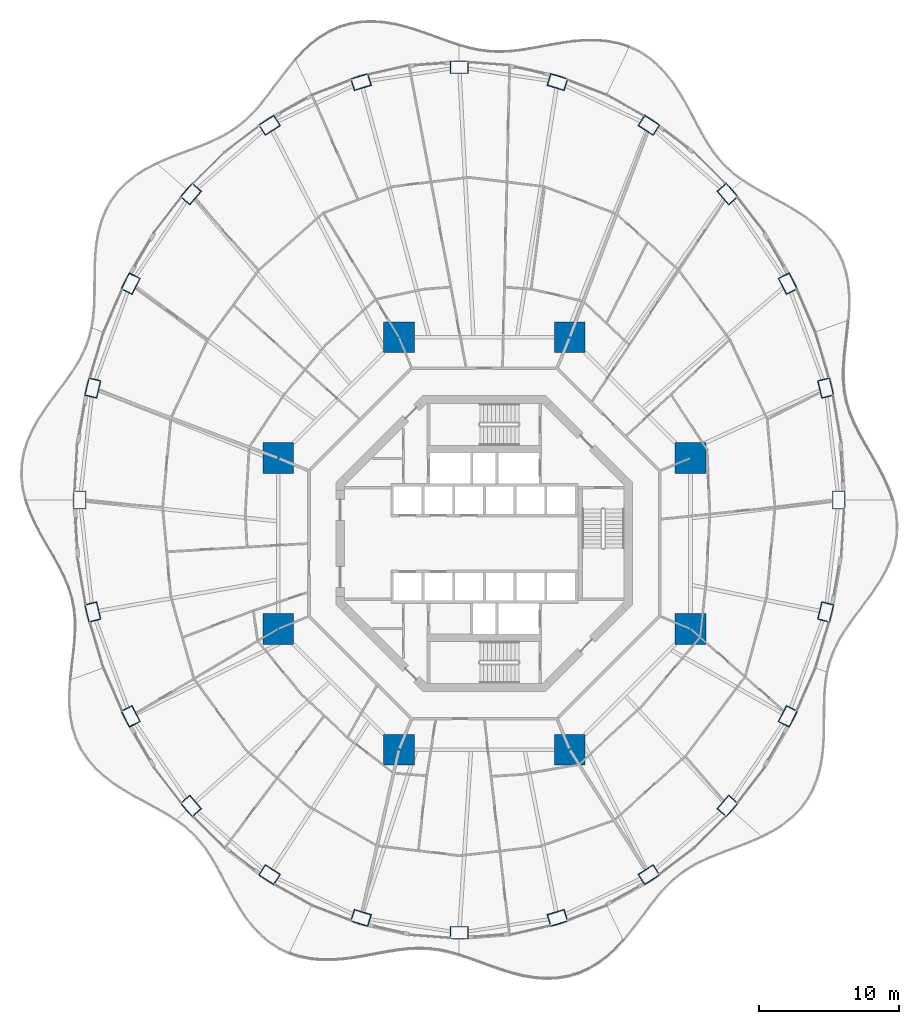
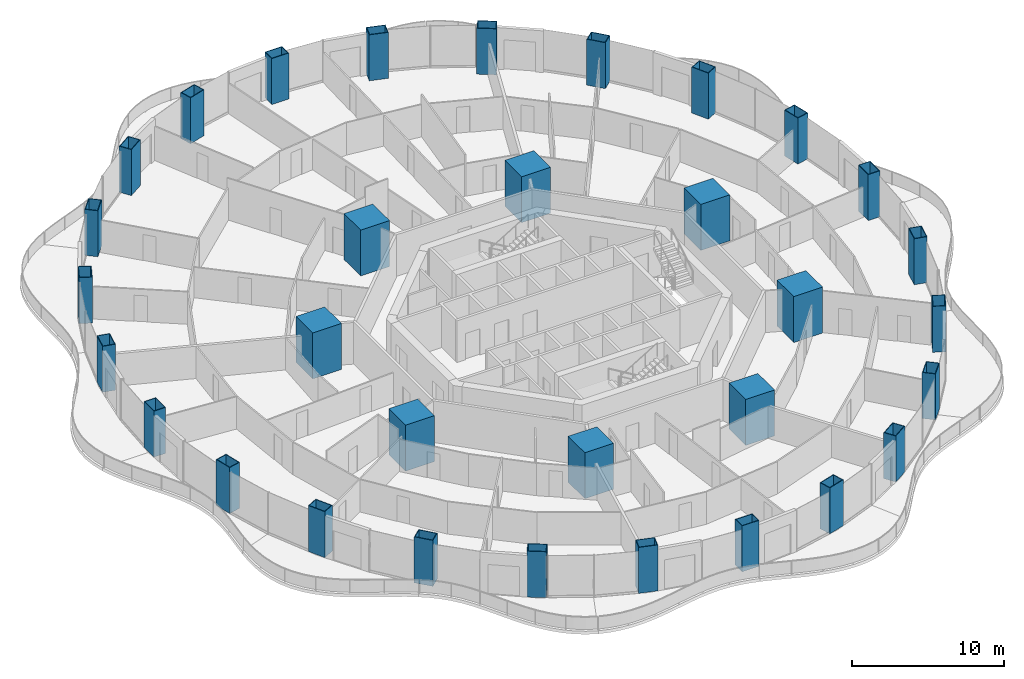
# One storey, part 1 of 23: 32 columns.
"""IFC4 building model written with IfcOpenShell, lengths in metres."""

import ifcopenshell
import ifcopenshell.guid

model = None  # the IFC model being written
_history = None  # IfcOwnerHistory: only IFC2X3 demands one
_inside = {}  # id of a spatial element -> (the spatial element, [elements in it])
_under = {}  # id of a project, library or spatial element -> (it, [spatial elements below it])
_declared = {}  # id of a project -> (the project, [libraries it declares])
_typed = {}  # id of a type object -> (the type object, [elements of that type])
_made_of = {}  # id of a material, layer set ... -> (it, [elements and type objects made of it])


def new_model(schema):
    """Start an empty IFC model of exactly this schema.

    Asked for "IFC4X3", IfcOpenShell would pick the latest addendum, in which some entities
    have other attributes; the version numbers below select the first issue.
    IFC2X3 requires an IfcOwnerHistory on every rooted entity: one is made here for all.
    """
    global model, _history
    if schema == "IFC4X3":
        model = ifcopenshell.file(schema_version=(4, 3, 0, 0))
    else:
        model = ifcopenshell.file(schema=schema)
    _inside.clear()
    _under.clear()
    _declared.clear()
    _typed.clear()
    _made_of.clear()
    _history = None
    if model.schema == "IFC2X3":
        org = make("IfcOrganization", Name="unknown")
        user = make(
            "IfcPersonAndOrganization",
            ThePerson=make("IfcPerson", FamilyName="unknown"),
            TheOrganization=org,
        )
        app = make(
            "IfcApplication",
            ApplicationDeveloper=org,
            Version="unknown",
            ApplicationFullName="unknown",
            ApplicationIdentifier="unknown",
        )
        _history = make(
            "IfcOwnerHistory",
            OwningUser=user,
            OwningApplication=app,
            ChangeAction="ADDED",
            CreationDate=0,
        )
    return model


def make(cls, **values):
    """One entity of the class cls with the attributes given. An attribute that is None is left unset."""
    return model.create_entity(
        cls, **{name: value for name, value in values.items() if value is not None}
    )


def rooted(cls, **values):
    """An entity with a GlobalId (a new one), such as an element, a storey or a relation."""
    return make(cls, GlobalId=ifcopenshell.guid.new(), OwnerHistory=_history, **values)


def si_unit(unit_type, name, prefix=None):
    """IfcSIUnit, for example si_unit("LENGTHUNIT", "METRE", prefix="MILLI")."""
    return make("IfcSIUnit", UnitType=unit_type, Prefix=prefix, Name=name)


def assignment(units):
    """IfcUnitAssignment: the units of a project."""
    return None if units is None else make("IfcUnitAssignment", Units=units)


def point(xyz):
    """IfcCartesianPoint."""
    return None if xyz is None else make("IfcCartesianPoint", Coordinates=xyz)


def direction(xyz):
    """IfcDirection."""
    return None if xyz is None else make("IfcDirection", DirectionRatios=xyz)


def frame(location, z_axis=None, x_axis=None):
    """IfcAxis2Placement3D, a coordinate frame: its origin and axes. An axis left out is left unset."""
    return make(
        "IfcAxis2Placement3D",
        Location=point(location),
        Axis=direction(z_axis),
        RefDirection=direction(x_axis),
    )


def frame_2d(location, x_axis=None):
    """IfcAxis2Placement2D, a coordinate frame in the plane: its origin and x axis."""
    return make(
        "IfcAxis2Placement2D", Location=point(location), RefDirection=direction(x_axis)
    )


def origin():
    """The frame at (0, 0, 0) with its axes left unset."""
    return frame((0.0, 0.0, 0.0))


def origin_2d():
    """The frame at (0, 0) in the plane with its x axis left unset."""
    return frame_2d((0.0, 0.0))


def place(relative_to, where):
    """IfcLocalPlacement: puts the frame where relative to a parent placement (None: the world)."""
    return make(
        "IfcLocalPlacement", PlacementRelTo=relative_to, RelativePlacement=where
    )


def context(
    kind, dimensions, precision=None, world=None, true_north=None, identifier=None
):
    """IfcGeometricRepresentationContext, for example the 3D "Model" context."""
    return make(
        "IfcGeometricRepresentationContext",
        ContextIdentifier=identifier,
        ContextType=kind,
        CoordinateSpaceDimension=dimensions,
        Precision=precision,
        WorldCoordinateSystem=world,
        TrueNorth=true_north,
    )


def subcontext(parent, identifier, kind, view, scale=None):
    """IfcGeometricRepresentationSubContext, for example "Body" below "Model"."""
    return make(
        "IfcGeometricRepresentationSubContext",
        ContextIdentifier=identifier,
        ContextType=kind,
        ParentContext=parent,
        TargetScale=scale,
        TargetView=view,
    )


def project(units=None, contexts=None):
    """IfcProject with its units and contexts."""
    return rooted(
        "IfcProject",
        Name="project",
        RepresentationContexts=contexts,
        UnitsInContext=assignment(units),
    )


def spatial(cls, under=None, at=None, **own):
    """A site, building, storey or space (cls), placed at a placement, below another one or the project."""
    s = rooted(cls, ObjectPlacement=at, **own)
    if under is not None:
        _under.setdefault(under.id(), (under, []))[1].append(s)
    return s


def profile(cls, at=None, kind="AREA", **sizes):
    """A parametric profile (cls). Its sizes go by their IFC names, for example OverallWidth=200.0."""
    return make(cls, ProfileType=kind, Position=at, **sizes)


def rectangle(**sizes):
    """IfcRectangleProfileDef."""
    return profile("IfcRectangleProfileDef", **sizes)


def hollow_rectangle(**sizes):
    """IfcRectangleHollowProfileDef."""
    return profile("IfcRectangleHollowProfileDef", **sizes)


def extrude(swept, where, along, depth):
    """IfcExtrudedAreaSolid: the profile swept, set in the frame where, extruded along a direction by depth."""
    return make(
        "IfcExtrudedAreaSolid",
        SweptArea=swept,
        Position=where,
        ExtrudedDirection=direction(along),
        Depth=depth,
    )


def shape(context_of_items, identifier, shape_type, items):
    """IfcShapeRepresentation: the items that make up one representation, for example the "Body"."""
    return make(
        "IfcShapeRepresentation",
        ContextOfItems=context_of_items,
        RepresentationIdentifier=identifier,
        RepresentationType=shape_type,
        Items=items,
    )


def material(Name=None, Category=None):
    """IfcMaterial."""
    return make("IfcMaterial", Name=Name, Category=Category)


def material_profile(
    of_material, cross_section, Name=None, Category=None, Priority=None
):
    """IfcMaterialProfile: a cross section and its material."""
    return make(
        "IfcMaterialProfile",
        Name=Name,
        Material=of_material,
        Profile=cross_section,
        Priority=Priority,
        Category=Category,
    )


def profile_set(profiles, Name=None, composite=None):
    """IfcMaterialProfileSet."""
    return make(
        "IfcMaterialProfileSet",
        Name=Name,
        MaterialProfiles=profiles,
        CompositeProfile=composite,
    )


def made_of(thing, what):
    """Note that an element or type object is made of a material, layer set ...; save() writes the relation."""
    if what is not None:
        _made_of.setdefault(what.id(), (what, []))[1].append(thing)
    return thing


def type_object(cls, material=None, **own):
    """A type object (cls), such as IfcWallType, which elements share."""
    return made_of(rooted(cls, **own), material)


def element(
    cls,
    number,
    at=None,
    inside=None,
    cuts=None,
    type_object=None,
    material=None,
    context=None,
    identifier="Body",
    shape_type=None,
    held_by="IfcProductDefinitionShape",
    body=None,
    shapes=None,
    **own,
):
    """One element of the class cls, such as IfcWall. Its Tag is "e" and its number.

    at: its placement. inside: the storey or other place that contains it. cuts: it is an
    opening in that element (IfcRelVoidsElement). A single representation is given by context,
    identifier, shape_type and body (its items); several are given by shapes. held_by: the class
    of the entity that holds the representations. save() writes the other relations.
    """
    e = rooted(cls, Tag="e%d" % number, ObjectPlacement=at, **own)
    if body is not None:
        shapes = [shape(context, identifier, shape_type, body)]
    if shapes is not None:
        e.Representation = make(held_by, Representations=shapes)
    if inside is not None:
        _inside.setdefault(inside.id(), (inside, []))[1].append(e)
    if cuts is not None:
        rooted(
            "IfcRelVoidsElement", RelatingBuildingElement=cuts, RelatedOpeningElement=e
        )
    if type_object is not None:
        _typed.setdefault(type_object.id(), (type_object, []))[1].append(e)
    return made_of(e, material)


def aggregate(whole, parts):
    """IfcRelAggregates: a whole, such as a stair, and the parts it consists of."""
    return rooted("IfcRelAggregates", RelatingObject=whole, RelatedObjects=parts)


def save(model, path):
    """Write the relations noted so far, then the file.

    IfcRelAggregates (storeys below a building ...), IfcRelContainedInSpatialStructure (elements
    in a storey), IfcRelDefinesByType, IfcRelAssociatesMaterial and IfcRelDeclares: one each for
    every whole, place, type object, material and project.
    """
    for whole, parts in _under.values():
        aggregate(whole, parts)
    for where, things in _inside.values():
        rooted(
            "IfcRelContainedInSpatialStructure",
            RelatedElements=things,
            RelatingStructure=where,
        )
    for kind, things in _typed.values():
        rooted("IfcRelDefinesByType", RelatedObjects=things, RelatingType=kind)
    for what, things in _made_of.values():
        rooted("IfcRelAssociatesMaterial", RelatedObjects=things, RelatingMaterial=what)
    for by, libraries in _declared.values():
        rooted("IfcRelDeclares", RelatingContext=by, RelatedDefinitions=libraries)
    model.write(path)


model = new_model("IFC4")

# Units and contexts
model_context = context("Model", 3, precision=1e-05, world=origin(), true_north=direction((0.0, 1.0)))
body_context = subcontext(model_context, "Body", "Model", "MODEL_VIEW")
ifc_project = project(units=[si_unit("LENGTHUNIT", "METRE"), si_unit("AREAUNIT", "SQUARE_METRE"), si_unit("VOLUMEUNIT", "CUBIC_METRE"), si_unit("PLANEANGLEUNIT", "RADIAN"), si_unit("MASSUNIT", "GRAM", prefix="KILO")], contexts=[model_context])

# Site, building, storey
site_placement = place(None, origin())
site = spatial("IfcSite", under=ifc_project, at=site_placement, CompositionType="ELEMENT")
building_placement = place(site_placement, origin())
building = spatial("IfcBuilding", under=site, at=building_placement, Name="Nagisa Residences", CompositionType="ELEMENT")
storey_placement = place(building_placement, frame((0.0, 0.0, 110.300048828125)))
storey = spatial("IfcBuildingStorey", under=building, at=storey_placement, Name="L27", CompositionType="ELEMENT", Elevation=110.300048828125)

# Columns
ifc_material_1 = material(Name="Concrete C80", Category="concrete")
ifc_material_profile_1 = material_profile(ifc_material_1, rectangle(XDim=2.199951171875, YDim=2.199951171875, at=origin_2d()), Name="C80 2200x2200")
ifc_profile_set_1 = profile_set([ifc_material_profile_1], Name="Concrete C80")
column_type_1 = type_object("IfcColumnType", Name="Inner megacolumn C80 2200x2200", PredefinedType="COLUMN", material=ifc_profile_set_1)
for number, where, z_axis, x_axis, name in (
    (1, (14.781982421875, 6.123046875, 0.0), (0.0, 0.0, 1.0), (1.0, 0.0, 0.0), "col:L27:i1"),
    (2, (6.123046875, 14.781982421875, 0.0), (0.0, 0.0, 1.0), (1.0, 0.0, 0.0), "col:L27:i2"),
    (3, (-6.123046875, 14.781982421875, 0.0), (0.0, 0.0, 1.0), (1.0, 0.0, 0.0), "col:L27:i3"),
    (4, (-14.781982421875, 6.123046875, 0.0), (0.0, 0.0, 1.0), (1.0, 0.0, 0.0), "col:L27:i4"),
    (5, (-14.781982421875, -6.123046875, 0.0), (0.0, 0.0, 1.0), (1.0, 0.0, 0.0), "col:L27:i5"),
    (6, (-6.123046875, -14.781982421875, 0.0), (0.0, 0.0, 1.0), (1.0, 0.0, 0.0), "col:L27:i6"),
    (7, (6.123046875, -14.781982421875, 0.0), (0.0, 0.0, 1.0), (1.0, 0.0, 0.0), "col:L27:i7"),
    (8, (14.781982421875, -6.123046875, 0.0), (0.0, 0.0, 1.0), (1.0, 0.0, 0.0), "col:L27:i8"),
):
    element("IfcColumn", number, at=place(storey_placement, frame(where, z_axis=z_axis, x_axis=x_axis)), inside=storey, type_object=column_type_1, Name=name, PredefinedType="COLUMN", context=body_context, shape_type="SweptSolid", body=[
        extrude(rectangle(XDim=2.199951171875, YDim=2.199951171875, at=origin_2d()), origin(), (0.0, 0.0, 1.0), 3.699951171875),
    ])
ifc_material_2 = material(Name="Steel ASTM A572 Gr 50", Category="steel")
ifc_material_profile_2 = material_profile(ifc_material_2, hollow_rectangle(XDim=1.300048828125, YDim=0.89990234375, WallThickness=0.044921875, at=origin_2d()), Name="BX 1300x900x45")
ifc_profile_set_2 = profile_set([ifc_material_profile_2], Name="Steel ASTM A572 Gr 50")
column_type_2 = type_object("IfcColumnType", Name="Perimeter column BX 1300x900x45", PredefinedType="COLUMN", material=ifc_profile_set_2)
for number, where, z_axis, x_axis, name in (
    (9, (25.39501953125, 3.11767578125, 0.0), (0.0, 0.0, 1.0), (0.0, 1.0, 0.0), "col:L27:p00"),
    (10, (24.46826171875, 11.14501953125, 0.0), (0.0, 0.0, 1.0), (-0.229202013103, 0.973378876486, 0.0), "col:L27:p01"),
    (11, (21.75146484375, 18.625244140625, 0.0), (0.0, 0.0, 1.0), (-0.452462697578, 0.891783329795, 0.0), "col:L27:p02"),
    (12, (17.4296875, 25.048583984375, 0.0), (0.0, 0.0, 1.0), (-0.660114607735, 0.751164898445, 0.0), "col:L27:p03"),
    (13, (11.797607421875, 29.9775390625, 0.0), (0.0, 0.0, 1.0), (-0.835766105673, 0.54908561865, 0.0), "col:L27:p04"),
    (14, (5.238525390625, 33.075927734375, 0.0), (0.0, 0.0, 1.0), (-0.956524583408, 0.291651712384, 0.0), "col:L27:p05"),
    (15, (-1.800048828125, 34.1328125, 0.0), (0.0, 0.0, 1.0), (-1.0, 0.0, 0.0), "col:L27:p06"),
    (16, (-8.838623046875, 33.075927734375, 0.0), (0.0, 0.0, 1.0), (-0.956524583408, -0.291651712384, 0.0), "col:L27:p07"),
    (17, (-15.3974609375, 29.9775390625, 0.0), (0.0, 0.0, 1.0), (-0.835766105673, -0.54908561865, 0.0), "col:L27:p08"),
    (18, (-21.02978515625, 25.048583984375, 0.0), (0.0, 0.0, 1.0), (-0.660114607735, -0.751164898445, 0.0), "col:L27:p09"),
    (19, (-25.3515625, 18.625244140625, 0.0), (0.0, 0.0, 1.0), (-0.452462697578, -0.891783329795, 0.0), "col:L27:p10"),
    (20, (-28.068359375, 11.14501953125, 0.0), (0.0, 0.0, 1.0), (-0.229202013103, -0.973378876486, 0.0), "col:L27:p11"),
    (21, (-28.9951171875, 3.11767578125, 0.0), (0.0, 0.0, 1.0), (0.0, -1.0, 0.0), "col:L27:p12"),
    (22, (-28.068359375, -4.90966796875, 0.0), (0.0, 0.0, 1.0), (0.229202013103, -0.973378876486, 0.0), "col:L27:p13"),
    (23, (-25.3515625, -12.389892578125, 0.0), (0.0, 0.0, 1.0), (0.452462697578, -0.891783329795, 0.0), "col:L27:p14"),
    (24, (-21.02978515625, -18.813232421875, 0.0), (0.0, 0.0, 1.0), (0.660114607735, -0.751164898445, 0.0), "col:L27:p15"),
    (25, (-15.3974609375, -23.7421875, 0.0), (0.0, 0.0, 1.0), (0.835766105673, -0.54908561865, 0.0), "col:L27:p16"),
    (26, (-8.838623046875, -26.840576171875, 0.0), (0.0, 0.0, 1.0), (0.956524583408, -0.291651712384, 0.0), "col:L27:p17"),
    (27, (-1.800048828125, -27.897216796875, 0.0), (0.0, 0.0, 1.0), (1.0, 0.0, 0.0), "col:L27:p18"),
    (28, (5.238525390625, -26.840576171875, 0.0), (0.0, 0.0, 1.0), (0.956524583408, 0.291651712384, 0.0), "col:L27:p19"),
    (29, (11.797607421875, -23.7421875, 0.0), (0.0, 0.0, 1.0), (0.835766105673, 0.54908561865, 0.0), "col:L27:p20"),
    (30, (17.4296875, -18.813232421875, 0.0), (0.0, 0.0, 1.0), (0.660114607735, 0.751164898445, 0.0), "col:L27:p21"),
    (31, (21.75146484375, -12.389892578125, 0.0), (0.0, 0.0, 1.0), (0.452462697578, 0.891783329795, 0.0), "col:L27:p22"),
    (32, (24.46826171875, -4.90966796875, 0.0), (0.0, 0.0, 1.0), (0.229202013103, 0.973378876486, 0.0), "col:L27:p23"),
):
    element("IfcColumn", number, at=place(storey_placement, frame(where, z_axis=z_axis, x_axis=x_axis)), inside=storey, type_object=column_type_2, Name=name, PredefinedType="COLUMN", context=body_context, shape_type="SweptSolid", body=[
        extrude(hollow_rectangle(XDim=1.300048828125, YDim=0.89990234375, WallThickness=0.044921875, at=origin_2d()), origin(), (0.0, 0.0, 1.0), 3.699951171875),
    ])

save(model, "model.ifc")
